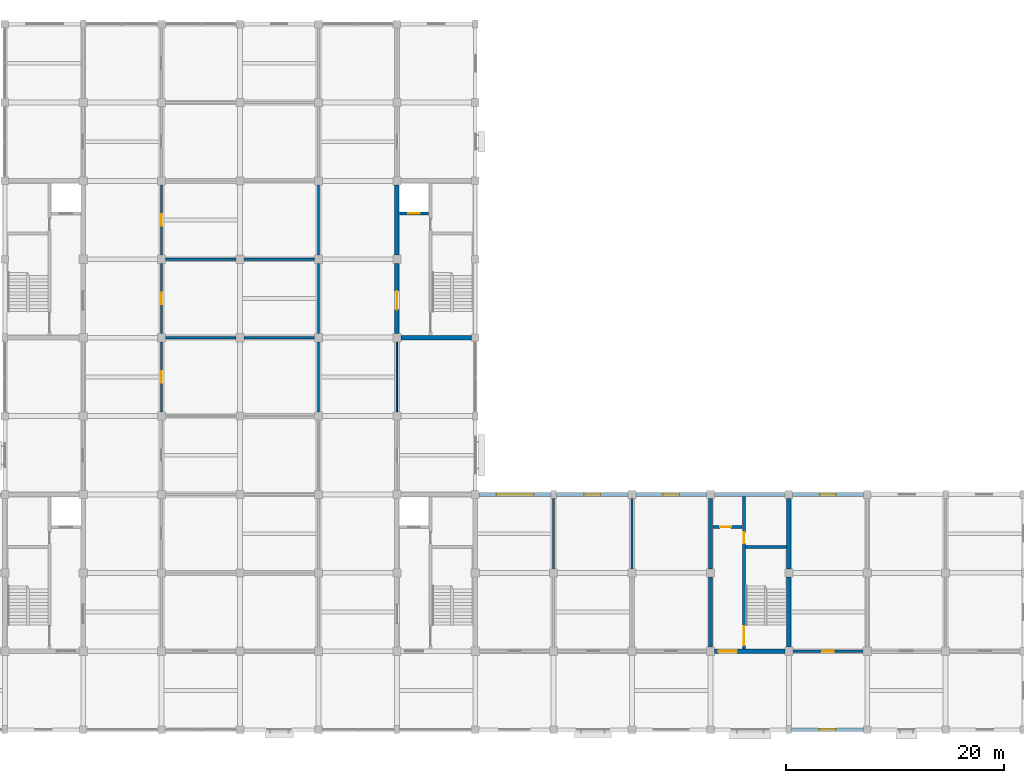
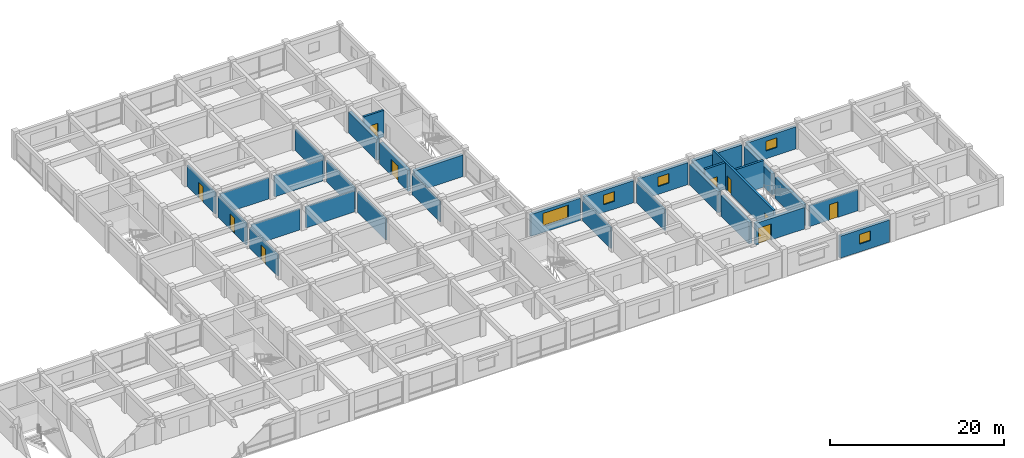
# One storey, part 16 of 25: 32 walls, 10 doors, 5 windows, 15 openings.
"""IFC4 building model written with IfcOpenShell, lengths in metres."""

from ifc_helpers import new_model, si_unit, direction, frame, frame_2d, origin, place, context, subcontext, project, spatial, rectangle, extrude, material, layer, layer_set, type_object, element, fill, save


model = new_model("IFC4")

# Units and contexts
model_context = context("Model", 3, precision=1e-05, world=origin(), true_north=direction((0.0, 1.0)))
body_context = subcontext(model_context, "Body", "Model", "MODEL_VIEW")
ifc_project = project(units=[si_unit("LENGTHUNIT", "METRE"), si_unit("AREAUNIT", "SQUARE_METRE"), si_unit("VOLUMEUNIT", "CUBIC_METRE"), si_unit("PLANEANGLEUNIT", "RADIAN"), si_unit("MASSUNIT", "GRAM", prefix="KILO")], contexts=[model_context])

# Site, building, storey
site_placement = place(None, origin())
site = spatial("IfcSite", under=ifc_project, at=site_placement, CompositionType="ELEMENT")
building_placement = place(site_placement, origin())
building = spatial("IfcBuilding", under=site, at=building_placement, Name="Cendaluz Park School", CompositionType="ELEMENT")
storey_placement = place(building_placement, frame((0.0, 0.0, 18.60009765625)))
storey = spatial("IfcBuildingStorey", under=building, at=storey_placement, Name="L04", CompositionType="ELEMENT", Elevation=18.60009765625)

# Walls
ifc_material_1 = material(Name="Gypsum Plasterboard on Cold-Formed Stud", Category="gypsum")
ifc_layer_1 = layer(ifc_material_1, 0.199951171875)
ifc_layer_set_1 = layer_set([ifc_layer_1], Name="Gypsum Plasterboard on Cold-Formed Stud")
wall_type_1 = type_object("IfcWallType", Name="W-AC20", PredefinedType="PARTITIONING", material=ifc_layer_set_1)
wall_1_placement = place(storey_placement, frame((115.199951171875, 21.97509765625, 0.0), z_axis=(0.0, 0.0, 1.0), x_axis=(0.0, 1.0, 0.0)))
element("IfcWall", 1, at=wall_1_placement, inside=storey, type_object=wall_type_1, Name="WL-FE-BO0", PredefinedType="PARTITIONING", context=body_context, shape_type="SweptSolid", body=[
    extrude(rectangle(XDim=6.449951171875, YDim=0.199951171875, at=frame_2d((3.22509765625, 0.0))), origin(), (0.0, 0.0, 1.0), 2.969970703125),
])
wall_2_placement = place(storey_placement, frame((122.39990234375, 21.97509765625, 0.0), z_axis=(0.0, 0.0, 1.0), x_axis=(0.0, 1.0, 0.0)))
element("IfcWall", 2, at=wall_2_placement, inside=storey, type_object=wall_type_1, Name="WL-FE-BO3", PredefinedType="PARTITIONING", context=body_context, shape_type="SweptSolid", body=[
    extrude(rectangle(XDim=6.474853515625, YDim=0.199951171875, at=frame_2d((3.2373046875, 0.0))), origin(), (0.0, 0.0, 1.0), 2.969970703125),
])

# Wall, opening, door
wall_3_placement = place(storey_placement, frame((137.175048828125, 14.39990234375, 0.0), z_axis=(0.0, 0.0, 1.0), x_axis=(1.0, 0.0, 0.0)))
wall_3 = element("IfcWall", 3, at=wall_3_placement, inside=storey, type_object=wall_type_1, Name="WL-FE-BO5", PredefinedType="PARTITIONING", context=body_context, shape_type="SweptSolid", body=[
    extrude(rectangle(XDim=6.449951171875, YDim=0.199951171875, at=frame_2d((3.22509765625, 0.0))), origin(), (0.0, 0.0, 1.0), 2.969970703125),
])
opening_1_placement = place(wall_3_placement, frame((2.68505859375, 0.0, 0.0)))
opening_1 = element("IfcOpeningElement", 4, at=opening_1_placement, cuts=wall_3, Name="Opening DCL-05", PredefinedType="OPENING", context=body_context, shape_type="SweptSolid", body=[
    extrude(rectangle(XDim=1.080078125, YDim=2.179931640625, at=frame_2d((0.5400390625, 1.08984375))), frame((0.0, 0.112060546875, 0.0), z_axis=(0.0, -1.0, 0.0), x_axis=(1.0, 0.0, 0.0)), (0.0, 0.0, 1.0), 0.223876953125),
])
ifc_material_2 = material(Name="Solid Core Hardwood", Category="wood")
door_type_1 = type_object("IfcDoorType", Name="DCL-05", OperationType="NOTDEFINED", PredefinedType="DOOR", material=ifc_material_2)
door_1_placement = place(opening_1_placement, origin())
door_1 = element("IfcDoor", 5, at=door_1_placement, inside=storey, type_object=door_type_1, Name="D-L04-036", OperationType="SINGLE_SWING_RIGHT", OverallHeight=2.179931640625, OverallWidth=1.080078125, PredefinedType="DOOR", context=body_context, shape_type="SweptSolid", body=[
    extrude(rectangle(XDim=1.080078125, YDim=2.179931640625, at=frame_2d((0.5400390625, 1.08984375))), frame((0.0, 0.02490234375, 0.0), z_axis=(0.0, -1.0, 0.0), x_axis=(1.0, 0.0, 0.0)), (0.0, 0.0, 1.0), 0.050048828125),
])
fill(opening_1, door_1)

# Wall
wall_4_placement = place(storey_placement, frame((79.574951171875, 43.199951171875, 0.0), z_axis=(0.0, 0.0, 1.0), x_axis=(1.0, 0.0, 0.0)))
element("IfcWall", 6, at=wall_4_placement, inside=storey, type_object=wall_type_1, Name="WL-FE-BR0", PredefinedType="PARTITIONING", context=body_context, shape_type="SweptSolid", body=[
    extrude(rectangle(XDim=6.449951171875, YDim=0.199951171875, at=frame_2d((3.22509765625, 0.0))), origin(), (0.0, 0.0, 1.0), 2.969970703125),
])

# Wall, opening, door
wall_5_placement = place(storey_placement, frame((79.199951171875, 36.375, 0.0), z_axis=(0.0, 0.0, 1.0), x_axis=(0.0, 1.0, 0.0)))
wall_5 = element("IfcWall", 7, at=wall_5_placement, inside=storey, type_object=wall_type_1, Name="WL-FE-BR1", PredefinedType="PARTITIONING", context=body_context, shape_type="SweptSolid", body=[
    extrude(rectangle(XDim=6.449951171875, YDim=0.199951171875, at=frame_2d((3.22509765625, 0.0))), origin(), (0.0, 0.0, 1.0), 2.969970703125),
])
opening_2_placement = place(wall_5_placement, frame((2.705078125, 0.0, 0.0)))
opening_2 = element("IfcOpeningElement", 8, at=opening_2_placement, cuts=wall_5, Name="Opening DCL-03", PredefinedType="OPENING", context=body_context, shape_type="SweptSolid", body=[
    extrude(rectangle(XDim=1.0400390625, YDim=2.139892578125, at=frame_2d((0.52001953125, 1.06982421875))), frame((0.0, 0.112060546875, 0.0), z_axis=(0.0, -1.0, 0.0), x_axis=(1.0, 0.0, 0.0)), (0.0, 0.0, 1.0), 0.223876953125),
])
door_type_2 = type_object("IfcDoorType", Name="DCL-03", OperationType="NOTDEFINED", PredefinedType="DOOR", material=ifc_material_2)
door_2_placement = place(opening_2_placement, frame((1.0400390625, 0.0, 0.0), z_axis=(0.0, 0.0, 1.0), x_axis=(-1.0, 0.0, 0.0)))
door_2 = element("IfcDoor", 9, at=door_2_placement, inside=storey, type_object=door_type_2, Name="D-L04-044", OperationType="SINGLE_SWING_RIGHT", OverallHeight=2.139892578125, OverallWidth=1.0400390625, PredefinedType="DOOR", context=body_context, shape_type="SweptSolid", body=[
    extrude(rectangle(XDim=1.0400390625, YDim=2.139892578125, at=frame_2d((0.52001953125, 1.06982421875))), frame((0.0, 0.02490234375, 0.0), z_axis=(0.0, -1.0, 0.0), x_axis=(1.0, 0.0, 0.0)), (0.0, 0.0, 1.0), 0.050048828125),
])
fill(opening_2, door_2)

# Walls
wall_6_placement = place(storey_placement, frame((86.77490234375, 43.199951171875, 0.0), z_axis=(0.0, 0.0, 1.0), x_axis=(1.0, 0.0, 0.0)))
element("IfcWall", 10, at=wall_6_placement, inside=storey, type_object=wall_type_1, Name="WL-FE-BR2", PredefinedType="PARTITIONING", context=body_context, shape_type="SweptSolid", body=[
    extrude(rectangle(XDim=6.4501953125, YDim=0.199951171875, at=frame_2d((3.22509765625, 0.0))), origin(), (0.0, 0.0, 1.0), 2.969970703125),
])
for number, where, z_axis, x_axis, name in (
    (11, (93.60009765625, 36.375, 0.0), (0.0, 0.0, 1.0), (0.0, 1.0, 0.0), "WL-FE-BR3"),
    (12, (79.574951171875, 50.39990234375, 0.0), (0.0, 0.0, 1.0), (1.0, 0.0, 0.0), "WL-FE-BR4"),
):
    element("IfcWall", number, at=place(storey_placement, frame(where, z_axis=z_axis, x_axis=x_axis)), inside=storey, type_object=wall_type_1, Name=name, PredefinedType="PARTITIONING", context=body_context, shape_type="SweptSolid", body=[
        extrude(rectangle(XDim=6.449951171875, YDim=0.199951171875, at=frame_2d((3.22509765625, 0.0))), origin(), (0.0, 0.0, 1.0), 2.969970703125),
    ])

# Wall, opening, door
wall_7_placement = place(storey_placement, frame((79.199951171875, 43.574951171875, 0.0), z_axis=(0.0, 0.0, 1.0), x_axis=(0.0, 1.0, 0.0)))
wall_7 = element("IfcWall", 13, at=wall_7_placement, inside=storey, type_object=wall_type_1, Name="WL-FE-BR5", PredefinedType="PARTITIONING", context=body_context, shape_type="SweptSolid", body=[
    extrude(rectangle(XDim=6.449951171875, YDim=0.199951171875, at=frame_2d((3.22509765625, 0.0))), origin(), (0.0, 0.0, 1.0), 2.969970703125),
])
opening_3_placement = place(wall_7_placement, frame((2.695068359375, 0.0, 0.0)))
opening_3 = element("IfcOpeningElement", 14, at=opening_3_placement, cuts=wall_7, Name="Opening DCL-04", PredefinedType="OPENING", context=body_context, shape_type="SweptSolid", body=[
    extrude(rectangle(XDim=1.06005859375, YDim=2.159912109375, at=frame_2d((0.530029296875, 1.080078125))), frame((0.0, 0.112060546875, 0.0), z_axis=(0.0, -1.0, 0.0), x_axis=(1.0, 0.0, 0.0)), (0.0, 0.0, 1.0), 0.223876953125),
])
door_type_3 = type_object("IfcDoorType", Name="DCL-04", OperationType="NOTDEFINED", PredefinedType="DOOR", material=ifc_material_2)
door_3_placement = place(opening_3_placement, frame((1.06005859375, 0.0, 0.0), z_axis=(0.0, 0.0, 1.0), x_axis=(-1.0, 0.0, 0.0)))
door_3 = element("IfcDoor", 15, at=door_3_placement, inside=storey, type_object=door_type_3, Name="D-L04-045", OperationType="SINGLE_SWING_LEFT", OverallHeight=2.159912109375, OverallWidth=1.06005859375, PredefinedType="DOOR", context=body_context, shape_type="SweptSolid", body=[
    extrude(rectangle(XDim=1.06005859375, YDim=2.159912109375, at=frame_2d((0.530029296875, 1.080078125))), frame((0.0, 0.02490234375, 0.0), z_axis=(0.0, -1.0, 0.0), x_axis=(1.0, 0.0, 0.0)), (0.0, 0.0, 1.0), 0.050048828125),
])
fill(opening_3, door_3)

# Walls
wall_8_placement = place(storey_placement, frame((86.77490234375, 50.39990234375, 0.0), z_axis=(0.0, 0.0, 1.0), x_axis=(1.0, 0.0, 0.0)))
element("IfcWall", 16, at=wall_8_placement, inside=storey, type_object=wall_type_1, Name="WL-FE-BR6", PredefinedType="PARTITIONING", context=body_context, shape_type="SweptSolid", body=[
    extrude(rectangle(XDim=6.4501953125, YDim=0.199951171875, at=frame_2d((3.22509765625, 0.0))), origin(), (0.0, 0.0, 1.0), 2.969970703125),
])
wall_9_placement = place(storey_placement, frame((93.60009765625, 43.574951171875, 0.0), z_axis=(0.0, 0.0, 1.0), x_axis=(0.0, 1.0, 0.0)))
element("IfcWall", 17, at=wall_9_placement, inside=storey, type_object=wall_type_1, Name="WL-FE-BR7", PredefinedType="PARTITIONING", context=body_context, shape_type="SweptSolid", body=[
    extrude(rectangle(XDim=6.449951171875, YDim=0.199951171875, at=frame_2d((3.22509765625, 0.0))), origin(), (0.0, 0.0, 1.0), 2.969970703125),
])

# Wall, opening, door
wall_10_placement = place(storey_placement, frame((79.199951171875, 50.77490234375, 0.0), z_axis=(0.0, 0.0, 1.0), x_axis=(0.0, 1.0, 0.0)))
wall_10 = element("IfcWall", 18, at=wall_10_placement, inside=storey, type_object=wall_type_1, Name="WL-FE-BR9", PredefinedType="PARTITIONING", context=body_context, shape_type="SweptSolid", body=[
    extrude(rectangle(XDim=6.4501953125, YDim=0.199951171875, at=frame_2d((3.22509765625, 0.0))), origin(), (0.0, 0.0, 1.0), 2.969970703125),
])
opening_4_placement = place(wall_10_placement, frame((2.68505859375, 0.0, 0.0)))
opening_4 = element("IfcOpeningElement", 19, at=opening_4_placement, cuts=wall_10, Name="Opening DCL-05", PredefinedType="OPENING", context=body_context, shape_type="SweptSolid", body=[
    extrude(rectangle(XDim=1.080078125, YDim=2.179931640625, at=frame_2d((0.5400390625, 1.08984375))), frame((0.0, 0.112060546875, 0.0), z_axis=(0.0, -1.0, 0.0), x_axis=(1.0, 0.0, 0.0)), (0.0, 0.0, 1.0), 0.223876953125),
])
door_4_placement = place(opening_4_placement, frame((1.080078125, 0.0, 0.0), z_axis=(0.0, 0.0, 1.0), x_axis=(-1.0, 0.0, 0.0)))
door_4 = element("IfcDoor", 20, at=door_4_placement, inside=storey, type_object=door_type_1, Name="D-L04-046", OperationType="SINGLE_SWING_RIGHT", OverallHeight=2.179931640625, OverallWidth=1.080078125, PredefinedType="DOOR", context=body_context, shape_type="SweptSolid", body=[
    extrude(rectangle(XDim=1.080078125, YDim=2.179931640625, at=frame_2d((0.5400390625, 1.08984375))), frame((0.0, 0.02490234375, 0.0), z_axis=(0.0, -1.0, 0.0), x_axis=(1.0, 0.0, 0.0)), (0.0, 0.0, 1.0), 0.050048828125),
])
fill(opening_4, door_4)

# Wall
wall_11_placement = place(storey_placement, frame((93.60009765625, 50.77490234375, 0.0), z_axis=(0.0, 0.0, 1.0), x_axis=(0.0, 1.0, 0.0)))
element("IfcWall", 21, at=wall_11_placement, inside=storey, type_object=wall_type_1, Name="WL-FE-BS1", PredefinedType="PARTITIONING", context=body_context, shape_type="SweptSolid", body=[
    extrude(rectangle(XDim=6.4501953125, YDim=0.199951171875, at=frame_2d((3.22509765625, 0.0))), origin(), (0.0, 0.0, 1.0), 2.969970703125),
])

# Wall, opening, window
ifc_material_3 = material(Name="Concrete C40/50 precast", Category="concrete")
ifc_layer_2 = layer(ifc_material_3, 0.340087890625)
ifc_layer_set_2 = layer_set([ifc_layer_2], Name="Concrete C40/50 precast")
wall_type_2 = type_object("IfcWallType", Name="W-EX34", PredefinedType="SOLIDWALL", material=ifc_layer_set_2)
wall_12_placement = place(storey_placement, frame((108.35009765625, 28.800048828125, 0.0), z_axis=(0.0, 0.0, 1.0), x_axis=(1.0, 0.0, 0.0)))
wall_12 = element("IfcWall", 22, at=wall_12_placement, inside=storey, type_object=wall_type_2, Name="WL-FE-AB5", PredefinedType="SOLIDWALL", context=body_context, shape_type="SweptSolid", body=[
    extrude(rectangle(XDim=6.599853515625, YDim=0.340087890625, at=frame_2d((3.2998046875, 0.0))), origin(), (0.0, 0.0, 1.0), 3.10986328125),
])
opening_5_placement = place(wall_12_placement, frame((1.60009765625, 0.0, 0.89990234375)))
opening_5 = element("IfcOpeningElement", 23, at=opening_5_placement, cuts=wall_12, Name="Opening WN-09", PredefinedType="OPENING", context=body_context, shape_type="SweptSolid", body=[
    extrude(rectangle(XDim=3.39990234375, YDim=1.800048828125, at=frame_2d((1.699951171875, 0.89990234375))), frame((0.0, 0.18212890625, 0.0), z_axis=(0.0, -1.0, 0.0), x_axis=(1.0, 0.0, 0.0)), (0.0, 0.0, 1.0), 0.364013671875),
])
ifc_material_4 = material(Name="Tempered Low-E Double Glazing", Category="glass")
window_type_1 = type_object("IfcWindowType", Name="WN-09", PartitioningType="SINGLE_PANEL", PredefinedType="WINDOW", material=ifc_material_4)
window_1_placement = place(opening_5_placement, origin())
window_1 = element("IfcWindow", 24, at=window_1_placement, inside=storey, type_object=window_type_1, Name="WN-L04-016", OverallHeight=1.800048828125, OverallWidth=3.39990234375, PartitioningType="SINGLE_PANEL", PredefinedType="WINDOW", context=body_context, shape_type="SweptSolid", body=[
    extrude(rectangle(XDim=3.39990234375, YDim=1.800048828125, at=frame_2d((1.699951171875, 0.89990234375))), frame((0.0, 0.030029296875, 0.0), z_axis=(0.0, -1.0, 0.0), x_axis=(1.0, 0.0, 0.0)), (0.0, 0.0, 1.0), 0.06005859375),
])
fill(opening_5, window_1)

wall_13_placement = place(storey_placement, frame((115.449951171875, 28.800048828125, 0.0), z_axis=(0.0, 0.0, 1.0), x_axis=(1.0, 0.0, 0.0)))
wall_13 = element("IfcWall", 25, at=wall_13_placement, inside=storey, type_object=wall_type_2, Name="WL-FE-AB7", PredefinedType="SOLIDWALL", context=body_context, shape_type="SweptSolid", body=[
    extrude(rectangle(XDim=6.60009765625, YDim=0.340087890625, at=frame_2d((3.300048828125, 0.0))), origin(), (0.0, 0.0, 1.0), 3.10986328125),
])
opening_6_placement = place(wall_13_placement, frame((2.550048828125, 0.0, 1.10009765625)))
opening_6 = element("IfcOpeningElement", 26, at=opening_6_placement, cuts=wall_13, Name="Opening WN-20", PredefinedType="OPENING", context=body_context, shape_type="SweptSolid", body=[
    extrude(rectangle(XDim=1.5, YDim=1.35009765625, at=frame_2d((0.75, 0.675048828125))), frame((0.0, 0.18212890625, 0.0), z_axis=(0.0, -1.0, 0.0), x_axis=(1.0, 0.0, 0.0)), (0.0, 0.0, 1.0), 0.364013671875),
])
window_type_2 = type_object("IfcWindowType", Name="WN-20", PartitioningType="SINGLE_PANEL", PredefinedType="WINDOW", material=ifc_material_4)
window_2_placement = place(opening_6_placement, origin())
window_2 = element("IfcWindow", 27, at=window_2_placement, inside=storey, type_object=window_type_2, Name="WN-L04-018", OverallHeight=1.35009765625, OverallWidth=1.5, PartitioningType="SINGLE_PANEL", PredefinedType="WINDOW", context=body_context, shape_type="SweptSolid", body=[
    extrude(rectangle(XDim=1.5, YDim=1.35009765625, at=frame_2d((0.75, 0.675048828125))), frame((0.0, 0.030029296875, 0.0), z_axis=(0.0, -1.0, 0.0), x_axis=(1.0, 0.0, 0.0)), (0.0, 0.0, 1.0), 0.06005859375),
])
fill(opening_6, window_2)

wall_14_placement = place(storey_placement, frame((122.75, 28.800048828125, 0.0), z_axis=(0.0, 0.0, 1.0), x_axis=(1.0, 0.0, 0.0)))
wall_14 = element("IfcWall", 28, at=wall_14_placement, inside=storey, type_object=wall_type_2, Name="WL-FE-AB9", PredefinedType="SOLIDWALL", context=body_context, shape_type="SweptSolid", body=[
    extrude(rectangle(XDim=6.5, YDim=0.340087890625, at=frame_2d((3.25, 0.0))), origin(), (0.0, 0.0, 1.0), 3.10986328125),
])
opening_7_placement = place(wall_14_placement, frame((2.5, 0.0, 1.10009765625)))
opening_7 = element("IfcOpeningElement", 29, at=opening_7_placement, cuts=wall_14, Name="Opening WN-20", PredefinedType="OPENING", context=body_context, shape_type="SweptSolid", body=[
    extrude(rectangle(XDim=1.5, YDim=1.35009765625, at=frame_2d((0.75, 0.675048828125))), frame((0.0, 0.18212890625, 0.0), z_axis=(0.0, -1.0, 0.0), x_axis=(1.0, 0.0, 0.0)), (0.0, 0.0, 1.0), 0.364013671875),
])
window_3_placement = place(opening_7_placement, origin())
window_3 = element("IfcWindow", 30, at=window_3_placement, inside=storey, type_object=window_type_2, Name="WN-L04-020", OverallHeight=1.35009765625, OverallWidth=1.5, PartitioningType="SINGLE_PANEL", PredefinedType="WINDOW", context=body_context, shape_type="SweptSolid", body=[
    extrude(rectangle(XDim=1.5, YDim=1.35009765625, at=frame_2d((0.75, 0.675048828125))), frame((0.0, 0.030029296875, 0.0), z_axis=(0.0, -1.0, 0.0), x_axis=(1.0, 0.0, 0.0)), (0.0, 0.0, 1.0), 0.06005859375),
])
fill(opening_7, window_3)

wall_15_placement = place(storey_placement, frame((137.050048828125, 7.199951171875, 0.0), z_axis=(0.0, 0.0, 1.0), x_axis=(1.0, 0.0, 0.0)))
wall_15 = element("IfcWall", 31, at=wall_15_placement, inside=storey, type_object=wall_type_2, Name="WL-FE-AC1", PredefinedType="SOLIDWALL", context=body_context, shape_type="SweptSolid", body=[
    extrude(rectangle(XDim=6.599853515625, YDim=0.340087890625, at=frame_2d((3.2998046875, 0.0))), origin(), (0.0, 0.0, 1.0), 3.10986328125),
])
opening_8_placement = place(wall_15_placement, frame((2.550048828125, 0.0, 1.10009765625)))
opening_8 = element("IfcOpeningElement", 32, at=opening_8_placement, cuts=wall_15, Name="Opening WN-20", PredefinedType="OPENING", context=body_context, shape_type="SweptSolid", body=[
    extrude(rectangle(XDim=1.5, YDim=1.35009765625, at=frame_2d((0.75, 0.675048828125))), frame((0.0, 0.18212890625, 0.0), z_axis=(0.0, -1.0, 0.0), x_axis=(1.0, 0.0, 0.0)), (0.0, 0.0, 1.0), 0.364013671875),
])
window_4_placement = place(opening_8_placement, origin())
window_4 = element("IfcWindow", 33, at=window_4_placement, inside=storey, type_object=window_type_2, Name="WN-L04-022", OverallHeight=1.35009765625, OverallWidth=1.5, PartitioningType="SINGLE_PANEL", PredefinedType="WINDOW", context=body_context, shape_type="SweptSolid", body=[
    extrude(rectangle(XDim=1.5, YDim=1.35009765625, at=frame_2d((0.75, 0.675048828125))), frame((0.0, 0.030029296875, 0.0), z_axis=(0.0, -1.0, 0.0), x_axis=(1.0, 0.0, 0.0)), (0.0, 0.0, 1.0), 0.06005859375),
])
fill(opening_8, window_4)

wall_16_placement = place(storey_placement, frame((137.14990234375, 28.800048828125, 0.0), z_axis=(0.0, 0.0, 1.0), x_axis=(1.0, 0.0, 0.0)))
wall_16 = element("IfcWall", 34, at=wall_16_placement, inside=storey, type_object=wall_type_2, Name="WL-FE-AC2", PredefinedType="SOLIDWALL", context=body_context, shape_type="SweptSolid", body=[
    extrude(rectangle(XDim=6.5, YDim=0.340087890625, at=frame_2d((3.25, 0.0))), origin(), (0.0, 0.0, 1.0), 3.10986328125),
])
opening_9_placement = place(wall_16_placement, frame((2.5, 0.0, 1.10009765625)))
opening_9 = element("IfcOpeningElement", 35, at=opening_9_placement, cuts=wall_16, Name="Opening WN-20", PredefinedType="OPENING", context=body_context, shape_type="SweptSolid", body=[
    extrude(rectangle(XDim=1.5, YDim=1.35009765625, at=frame_2d((0.75, 0.675048828125))), frame((0.0, 0.18212890625, 0.0), z_axis=(0.0, -1.0, 0.0), x_axis=(1.0, 0.0, 0.0)), (0.0, 0.0, 1.0), 0.364013671875),
])
window_5_placement = place(opening_9_placement, origin())
window_5 = element("IfcWindow", 36, at=window_5_placement, inside=storey, type_object=window_type_2, Name="WN-L04-023", OverallHeight=1.35009765625, OverallWidth=1.5, PartitioningType="SINGLE_PANEL", PredefinedType="WINDOW", context=body_context, shape_type="SweptSolid", body=[
    extrude(rectangle(XDim=1.5, YDim=1.35009765625, at=frame_2d((0.75, 0.675048828125))), frame((0.0, 0.030029296875, 0.0), z_axis=(0.0, -1.0, 0.0), x_axis=(1.0, 0.0, 0.0)), (0.0, 0.0, 1.0), 0.06005859375),
])
fill(opening_9, window_5)

# Wall, opening, door
ifc_material_5 = material(Name="Concrete C40/50", Category="concrete")
ifc_layer_3 = layer(ifc_material_5, 0.280029296875)
ifc_layer_set_3 = layer_set([ifc_layer_3], Name="Concrete C40/50")
wall_type_3 = type_object("IfcWallType", Name="W-FW28", PredefinedType="SHEAR", material=ifc_layer_set_3)
wall_17_placement = place(storey_placement, frame((101.0400390625, 54.60009765625, 0.0), z_axis=(0.0, 0.0, 1.0), x_axis=(1.0, 0.0, 0.0)))
wall_17 = element("IfcWall", 37, at=wall_17_placement, inside=storey, type_object=wall_type_3, Name="WL-FE-BK5", PredefinedType="SHEAR", context=body_context, shape_type="SweptSolid", body=[
    extrude(rectangle(XDim=2.679931640625, YDim=0.280029296875, at=frame_2d((1.33984375, 0.0))), origin(), (0.0, 0.0, 1.0), 3.739990234375),
])
opening_10_placement = place(wall_17_placement, frame((0.81494140625, 0.0, 0.0)))
opening_10 = element("IfcOpeningElement", 38, at=opening_10_placement, cuts=wall_17, Name="Opening LD-02", PredefinedType="OPENING", context=body_context, shape_type="SweptSolid", body=[
    extrude(rectangle(XDim=1.050048828125, YDim=2.199951171875, at=frame_2d((0.52490234375, 1.10009765625))), frame((0.0, 0.152099609375, 0.0), z_axis=(0.0, -1.0, 0.0), x_axis=(1.0, 0.0, 0.0)), (0.0, 0.0, 1.0), 0.303955078125),
])
ifc_material_6 = material(Name="Stainless Steel 316L", Category="steel")
door_type_4 = type_object("IfcDoorType", Name="LD-02", OperationType="DOUBLE_DOOR_SLIDING", PredefinedType="DOOR", material=ifc_material_6)
door_5_placement = place(opening_10_placement, frame((1.050048828125, 0.0, 0.0), z_axis=(0.0, 0.0, 1.0), x_axis=(-1.0, 0.0, 0.0)))
door_5 = element("IfcDoor", 39, at=door_5_placement, inside=storey, type_object=door_type_4, Name="D-L04-018", OperationType="DOUBLE_DOOR_SLIDING", OverallHeight=2.199951171875, OverallWidth=1.050048828125, PredefinedType="DOOR", context=body_context, shape_type="SweptSolid", body=[
    extrude(rectangle(XDim=1.050048828125, YDim=2.199951171875, at=frame_2d((0.52490234375, 1.10009765625))), frame((0.0, 0.02490234375, 0.0), z_axis=(0.0, -1.0, 0.0), x_axis=(1.0, 0.0, 0.0)), (0.0, 0.0, 1.0), 0.050048828125),
])
fill(opening_10, door_5)

# Wall, openings, doors
wall_18_placement = place(storey_placement, frame((132.679931640625, 14.60009765625, 0.0), z_axis=(0.0, 0.0, 1.0), x_axis=(0.0, 1.0, 0.0)))
wall_18 = element("IfcWall", 40, at=wall_18_placement, inside=storey, type_object=wall_type_3, Name="WL-FE-BM1", PredefinedType="SHEAR", context=body_context, shape_type="SweptSolid", body=[
    extrude(rectangle(XDim=14.0, YDim=0.280029296875, at=frame_2d((7.0, 0.0))), origin(), (0.0, 0.0, 1.0), 3.739990234375),
])
opening_11_placement = place(wall_18_placement, frame((0.35009765625, 0.0, 0.0)))
opening_11 = element("IfcOpeningElement", 41, at=opening_11_placement, cuts=wall_18, Name="Opening DST-03", PredefinedType="OPENING", context=body_context, shape_type="SweptSolid", body=[
    extrude(rectangle(XDim=1.75, YDim=2.14990234375, at=frame_2d((0.875, 1.074951171875))), frame((0.0, 0.152099609375, 0.0), z_axis=(0.0, -1.0, 0.0), x_axis=(1.0, 0.0, 0.0)), (0.0, 0.0, 1.0), 0.303955078125),
])
opening_12_placement = place(wall_18_placement, frame((9.719970703125, 0.0, 0.0)))
opening_12 = element("IfcOpeningElement", 42, at=opening_12_placement, cuts=wall_18, Name="Opening DFC-01", PredefinedType="OPENING", context=body_context, shape_type="SweptSolid", body=[
    extrude(rectangle(XDim=1.0, YDim=2.14990234375, at=frame_2d((0.5, 1.074951171875))), frame((0.0, 0.152099609375, 0.0), z_axis=(0.0, -1.0, 0.0), x_axis=(1.0, 0.0, 0.0)), (0.0, 0.0, 1.0), 0.303955078125),
])
door_type_5 = type_object("IfcDoorType", Name="DFC-01", OperationType="NOTDEFINED", PredefinedType="DOOR", material=ifc_material_2)
door_6_placement = place(opening_12_placement, frame((1.0, 0.0, 0.0), z_axis=(0.0, 0.0, 1.0), x_axis=(-1.0, 0.0, 0.0)))
door_6 = element("IfcDoor", 43, at=door_6_placement, inside=storey, type_object=door_type_5, Name="D-L04-025", OperationType="SINGLE_SWING_LEFT", OverallHeight=2.14990234375, OverallWidth=1.0, PredefinedType="DOOR", context=body_context, shape_type="SweptSolid", body=[
    extrude(rectangle(XDim=1.0, YDim=2.14990234375, at=frame_2d((0.5, 1.074951171875))), frame((0.0, 0.02490234375, 0.0), z_axis=(0.0, -1.0, 0.0), x_axis=(1.0, 0.0, 0.0)), (0.0, 0.0, 1.0), 0.050048828125),
])
fill(opening_12, door_6)
door_type_6 = type_object("IfcDoorType", Name="DST-03", OperationType="DOUBLE_DOOR_SINGLE_SWING", PredefinedType="DOOR", material=ifc_material_2)
door_7_placement = place(opening_11_placement, frame((1.75, 0.0, 0.0), z_axis=(0.0, 0.0, 1.0), x_axis=(-1.0, 0.0, 0.0)))
door_7 = element("IfcDoor", 44, at=door_7_placement, inside=storey, type_object=door_type_6, Name="D-L04-024", OperationType="DOUBLE_DOOR_SINGLE_SWING", OverallHeight=2.14990234375, OverallWidth=1.75, PredefinedType="DOOR", context=body_context, shape_type="SweptSolid", body=[
    extrude(rectangle(XDim=1.75, YDim=2.14990234375, at=frame_2d((0.875, 1.074951171875))), frame((0.0, 0.02490234375, 0.0), z_axis=(0.0, -1.0, 0.0), x_axis=(1.0, 0.0, 0.0)), (0.0, 0.0, 1.0), 0.050048828125),
])
fill(opening_11, door_7)

# Wall
wall_19_placement = place(storey_placement, frame((132.820068359375, 23.97998046875, 0.0), z_axis=(0.0, 0.0, 1.0), x_axis=(1.0, 0.0, 0.0)))
element("IfcWall", 45, at=wall_19_placement, inside=storey, type_object=wall_type_3, Name="WL-FE-BM2", PredefinedType="SHEAR", context=body_context, shape_type="SweptSolid", body=[
    extrude(rectangle(XDim=3.780029296875, YDim=0.280029296875, at=frame_2d((1.89013671875, 0.0))), origin(), (0.0, 0.0, 1.0), 3.739990234375),
])

# Wall, opening, door
wall_20_placement = place(storey_placement, frame((129.840087890625, 25.800048828125, 0.0), z_axis=(0.0, 0.0, 1.0), x_axis=(1.0, 0.0, 0.0)))
wall_20 = element("IfcWall", 46, at=wall_20_placement, inside=storey, type_object=wall_type_3, Name="WL-FE-BM3", PredefinedType="SHEAR", context=body_context, shape_type="SweptSolid", body=[
    extrude(rectangle(XDim=2.679931640625, YDim=0.280029296875, at=frame_2d((1.33984375, 0.0))), origin(), (0.0, 0.0, 1.0), 3.739990234375),
])
opening_13_placement = place(wall_20_placement, frame((0.64990234375, 0.0, 0.0)))
opening_13 = element("IfcOpeningElement", 47, at=opening_13_placement, cuts=wall_20, Name="Opening DFC-01", PredefinedType="OPENING", context=body_context, shape_type="SweptSolid", body=[
    extrude(rectangle(XDim=1.0, YDim=2.14990234375, at=frame_2d((0.5, 1.074951171875))), frame((0.0, 0.152099609375, 0.0), z_axis=(0.0, -1.0, 0.0), x_axis=(1.0, 0.0, 0.0)), (0.0, 0.0, 1.0), 0.303955078125),
])
door_8_placement = place(opening_13_placement, frame((1.0, 0.0, 0.0), z_axis=(0.0, 0.0, 1.0), x_axis=(-1.0, 0.0, 0.0)))
door_8 = element("IfcDoor", 48, at=door_8_placement, inside=storey, type_object=door_type_5, Name="D-L04-026", OperationType="SINGLE_SWING_RIGHT", OverallHeight=2.14990234375, OverallWidth=1.0, PredefinedType="DOOR", context=body_context, shape_type="SweptSolid", body=[
    extrude(rectangle(XDim=1.0, YDim=2.14990234375, at=frame_2d((0.5, 1.074951171875))), frame((0.0, 0.02490234375, 0.0), z_axis=(0.0, -1.0, 0.0), x_axis=(1.0, 0.0, 0.0)), (0.0, 0.0, 1.0), 0.050048828125),
])
fill(opening_13, door_8)

# Wall
ifc_layer_4 = layer(ifc_material_1, 0.1201171875)
ifc_layer_set_4 = layer_set([ifc_layer_4], Name="Gypsum Plasterboard on Cold-Formed Stud")
wall_type_4 = type_object("IfcWallType", Name="W-MV12", PredefinedType="MOVABLE", material=ifc_layer_set_4)
wall_21_placement = place(storey_placement, frame((100.800048828125, 36.375, 0.0), z_axis=(0.0, 0.0, 1.0), x_axis=(0.0, 1.0, 0.0)))
element("IfcWall", 49, at=wall_21_placement, inside=storey, type_object=wall_type_4, Name="WL-FE-BS9", PredefinedType="MOVABLE", context=body_context, shape_type="SweptSolid", body=[
    extrude(rectangle(XDim=6.449951171875, YDim=0.1201171875, at=frame_2d((3.22509765625, 0.0))), origin(), (0.0, 0.0, 1.0), 2.969970703125),
])

# Wall, opening, door
ifc_layer_5 = layer(ifc_material_5, 0.39990234375)
ifc_layer_set_5 = layer_set([ifc_layer_5], Name="Concrete C40/50")
wall_type_5 = type_object("IfcWallType", Name="W-SH40", PredefinedType="SHEAR", material=ifc_layer_set_5)
wall_22_placement = place(storey_placement, frame((100.800048828125, 43.574951171875, 0.0), z_axis=(0.0, 0.0, 1.0), x_axis=(0.0, 1.0, 0.0)))
wall_22 = element("IfcWall", 50, at=wall_22_placement, inside=storey, type_object=wall_type_5, Name="WL-FE-BJ7", PredefinedType="SHEAR", context=body_context, shape_type="SweptSolid", body=[
    extrude(rectangle(XDim=6.449951171875, YDim=0.39990234375, at=frame_2d((3.22509765625, 0.0))), origin(), (0.0, 0.0, 1.0), 2.969970703125),
])
opening_14_placement = place(wall_22_placement, frame((2.199951171875, 0.0, 0.0)))
opening_14 = element("IfcOpeningElement", 51, at=opening_14_placement, cuts=wall_22, Name="Opening DLB-02", PredefinedType="OPENING", context=body_context, shape_type="SweptSolid", body=[
    extrude(rectangle(XDim=1.699951171875, YDim=2.25, at=frame_2d((0.85009765625, 1.125))), frame((0.0, 0.2119140625, 0.0), z_axis=(0.0, -1.0, 0.0), x_axis=(1.0, 0.0, 0.0)), (0.0, 0.0, 1.0), 0.423828125),
])
door_type_7 = type_object("IfcDoorType", Name="DLB-02", OperationType="DOUBLE_DOOR_SINGLE_SWING", PredefinedType="DOOR", material=ifc_material_2)
door_9_placement = place(opening_14_placement, frame((1.699951171875, 0.0, 0.0), z_axis=(0.0, 0.0, 1.0), x_axis=(-1.0, 0.0, 0.0)))
door_9 = element("IfcDoor", 52, at=door_9_placement, inside=storey, type_object=door_type_7, Name="D-L04-015", OperationType="DOUBLE_DOOR_SINGLE_SWING", OverallHeight=2.25, OverallWidth=1.699951171875, PredefinedType="DOOR", context=body_context, shape_type="SweptSolid", body=[
    extrude(rectangle(XDim=1.699951171875, YDim=2.25, at=frame_2d((0.85009765625, 1.125))), frame((0.0, 0.02490234375, 0.0), z_axis=(0.0, -1.0, 0.0), x_axis=(1.0, 0.0, 0.0)), (0.0, 0.0, 1.0), 0.050048828125),
])
fill(opening_14, door_9)

# Walls
wall_23_placement = place(storey_placement, frame((100.800048828125, 50.77490234375, 0.0), z_axis=(0.0, 0.0, 1.0), x_axis=(0.0, 1.0, 0.0)))
element("IfcWall", 53, at=wall_23_placement, inside=storey, type_object=wall_type_5, Name="WL-FE-BJ8", PredefinedType="SHEAR", context=body_context, shape_type="SweptSolid", body=[
    extrude(rectangle(XDim=6.4501953125, YDim=0.39990234375, at=frame_2d((3.22509765625, 0.0))), origin(), (0.0, 0.0, 1.0), 2.969970703125),
])
wall_24_placement = place(storey_placement, frame((101.175048828125, 43.199951171875, 0.0), z_axis=(0.0, 0.0, 1.0), x_axis=(1.0, 0.0, 0.0)))
element("IfcWall", 54, at=wall_24_placement, inside=storey, type_object=wall_type_5, Name="WL-FE-BK1", PredefinedType="SHEAR", context=body_context, shape_type="SweptSolid", body=[
    extrude(rectangle(XDim=6.474853515625, YDim=0.39990234375, at=frame_2d((3.2373046875, 0.0))), origin(), (0.0, 0.0, 1.0), 3.039794921875),
])
wall_25_placement = place(storey_placement, frame((129.60009765625, 14.77490234375, 0.0), z_axis=(0.0, 0.0, 1.0), x_axis=(0.0, 1.0, 0.0)))
element("IfcWall", 55, at=wall_25_placement, inside=storey, type_object=wall_type_5, Name="WL-FE-BL5", PredefinedType="SHEAR", context=body_context, shape_type="SweptSolid", body=[
    extrude(rectangle(XDim=6.4501953125, YDim=0.39990234375, at=frame_2d((3.22509765625, 0.0))), origin(), (0.0, 0.0, 1.0), 2.969970703125),
])
wall_26_placement = place(storey_placement, frame((129.60009765625, 21.97509765625, 0.0), z_axis=(0.0, 0.0, 1.0), x_axis=(0.0, 1.0, 0.0)))
element("IfcWall", 56, at=wall_26_placement, inside=storey, type_object=wall_type_5, Name="WL-FE-BL6", PredefinedType="SHEAR", context=body_context, shape_type="SweptSolid", body=[
    extrude(rectangle(XDim=6.474853515625, YDim=0.39990234375, at=frame_2d((3.2373046875, 0.0))), origin(), (0.0, 0.0, 1.0), 2.969970703125),
])
wall_27_placement = place(storey_placement, frame((136.800048828125, 14.77490234375, 0.0), z_axis=(0.0, 0.0, 1.0), x_axis=(0.0, 1.0, 0.0)))
element("IfcWall", 57, at=wall_27_placement, inside=storey, type_object=wall_type_5, Name="WL-FE-BL7", PredefinedType="SHEAR", context=body_context, shape_type="SweptSolid", body=[
    extrude(rectangle(XDim=6.4501953125, YDim=0.39990234375, at=frame_2d((3.22509765625, 0.0))), origin(), (0.0, 0.0, 1.0), 2.969970703125),
])
wall_28_placement = place(storey_placement, frame((136.800048828125, 21.97509765625, 0.0), z_axis=(0.0, 0.0, 1.0), x_axis=(0.0, 1.0, 0.0)))
element("IfcWall", 58, at=wall_28_placement, inside=storey, type_object=wall_type_5, Name="WL-FE-BL8", PredefinedType="SHEAR", context=body_context, shape_type="SweptSolid", body=[
    extrude(rectangle(XDim=6.474853515625, YDim=0.39990234375, at=frame_2d((3.2373046875, 0.0))), origin(), (0.0, 0.0, 1.0), 2.969970703125),
])

# Wall, opening, door
wall_29_placement = place(storey_placement, frame((129.97509765625, 14.39990234375, 0.0), z_axis=(0.0, 0.0, 1.0), x_axis=(1.0, 0.0, 0.0)))
wall_29 = element("IfcWall", 59, at=wall_29_placement, inside=storey, type_object=wall_type_5, Name="WL-FE-BL9", PredefinedType="SHEAR", context=body_context, shape_type="SweptSolid", body=[
    extrude(rectangle(XDim=6.449951171875, YDim=0.39990234375, at=frame_2d((3.22509765625, 0.0))), origin(), (0.0, 0.0, 1.0), 3.039794921875),
])
opening_15_placement = place(wall_29_placement, frame((0.35498046875, 0.0, 0.0)))
opening_15 = element("IfcOpeningElement", 60, at=opening_15_placement, cuts=wall_29, Name="Opening DLB-02", PredefinedType="OPENING", context=body_context, shape_type="SweptSolid", body=[
    extrude(rectangle(XDim=1.699951171875, YDim=2.25, at=frame_2d((0.85009765625, 1.125))), frame((0.0, 0.2119140625, 0.0), z_axis=(0.0, -1.0, 0.0), x_axis=(1.0, 0.0, 0.0)), (0.0, 0.0, 1.0), 0.423828125),
])
door_10_placement = place(opening_15_placement, origin())
door_10 = element("IfcDoor", 61, at=door_10_placement, inside=storey, type_object=door_type_7, Name="D-L04-023", OperationType="DOUBLE_DOOR_SINGLE_SWING", OverallHeight=2.25, OverallWidth=1.699951171875, PredefinedType="DOOR", context=body_context, shape_type="SweptSolid", body=[
    extrude(rectangle(XDim=1.699951171875, YDim=2.25, at=frame_2d((0.85009765625, 1.125))), frame((0.0, 0.02490234375, 0.0), z_axis=(0.0, -1.0, 0.0), x_axis=(1.0, 0.0, 0.0)), (0.0, 0.0, 1.0), 0.050048828125),
])
fill(opening_15, door_10)

# Wall
wall_30_placement = place(storey_placement, frame((129.949951171875, 28.800048828125, 0.0), z_axis=(0.0, 0.0, 1.0), x_axis=(1.0, 0.0, 0.0)))
element("IfcWall", 62, at=wall_30_placement, inside=storey, type_object=wall_type_5, Name="WL-FE-BM0", PredefinedType="SHEAR", context=body_context, shape_type="SweptSolid", body=[
    extrude(rectangle(XDim=6.5, YDim=0.39990234375, at=frame_2d((3.25, 0.0))), origin(), (0.0, 0.0, 1.0), 3.10986328125),
])

save(model, "model.ifc")
